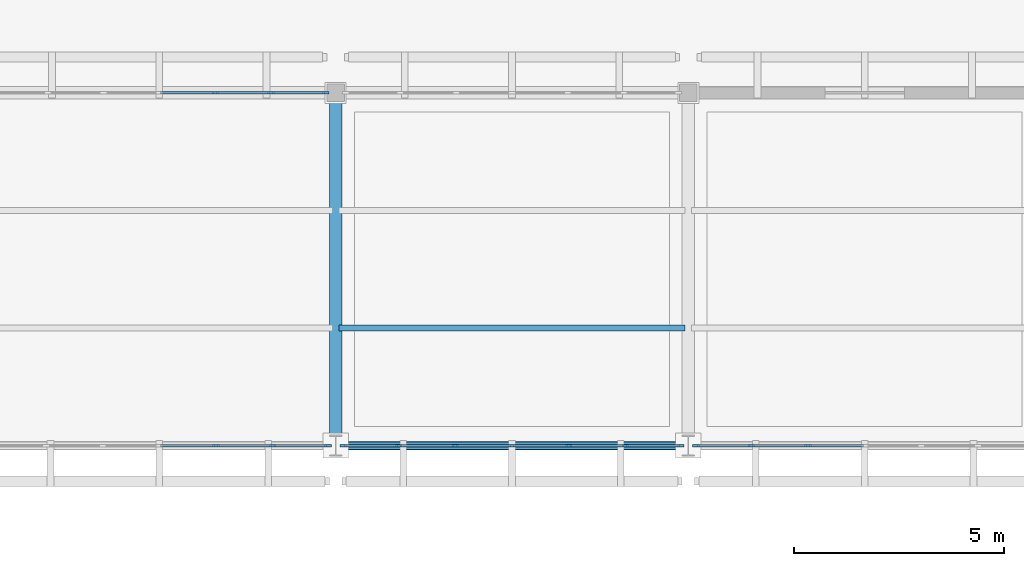
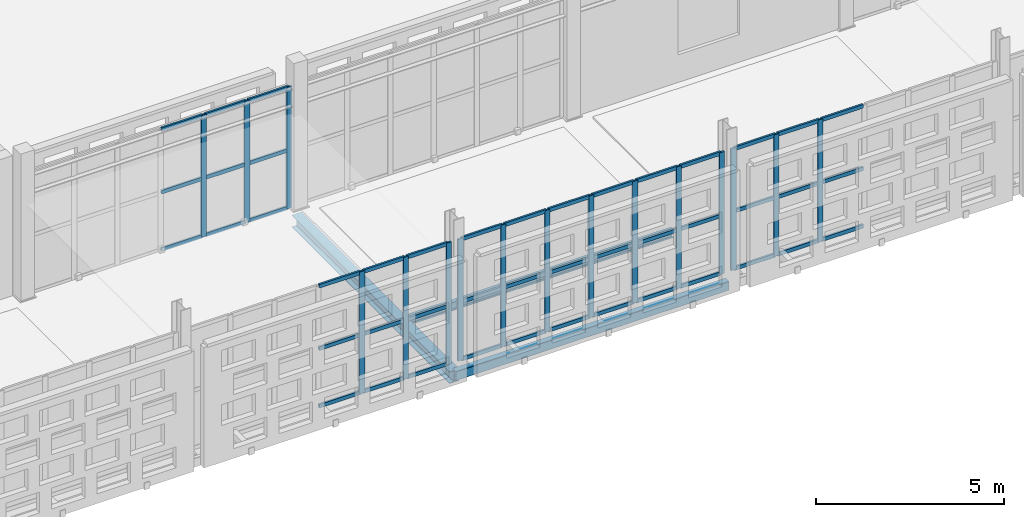
# One storey, part 52 of 203: 61 members, 3 beams, 4 elements without a shape of their own.
"""IFC4 building model written with IfcOpenShell, lengths in metres."""

from ifc_helpers import new_model, si_unit, direction, frame, origin, origin_2d, place, context, subcontext, project, spatial, rectangle, hollow_rectangle, i_section, extrude, material, layer, layer_set, material_profile, profile_set, type_object, element, aggregate, save


model = new_model("IFC4")

# Units and contexts
model_context = context("Model", 3, precision=1e-05, world=origin(), true_north=direction((0.0, 1.0)))
body_context = subcontext(model_context, "Body", "Model", "MODEL_VIEW")
ifc_project = project(units=[si_unit("LENGTHUNIT", "METRE"), si_unit("AREAUNIT", "SQUARE_METRE"), si_unit("VOLUMEUNIT", "CUBIC_METRE"), si_unit("PLANEANGLEUNIT", "RADIAN"), si_unit("MASSUNIT", "GRAM", prefix="KILO")], contexts=[model_context])

# Site, building, storey
site_placement = place(None, origin())
site = spatial("IfcSite", under=ifc_project, at=site_placement, CompositionType="ELEMENT")
building_placement = place(site_placement, origin())
building = spatial("IfcBuilding", under=site, at=building_placement, Name="Varnapada Polytechnic", CompositionType="ELEMENT")
storey_placement = place(building_placement, frame((0.0, 0.0, 4.800048828125)))
storey = spatial("IfcBuildingStorey", under=building, at=storey_placement, Name="L01", CompositionType="ELEMENT", Elevation=4.800048828125)

# Beam
ifc_material_1 = material(Name="Steel S355", Category="steel")
ifc_material_profile_1 = material_profile(ifc_material_1, i_section(OverallWidth=0.135009765625, OverallDepth=0.27001953125, WebThickness=0.006591796875, FlangeThickness=0.01025390625, FilletRadius=0.014892578125, at=origin_2d()), Name="IPE 270")
ifc_profile_set_1 = profile_set([ifc_material_profile_1], Name="Steel S355")
beam_type_1 = type_object("IfcBeamType", Name="Mezzanine heavy steel joist SJ-03 (IPE 270)", PredefinedType="JOIST", material=ifc_profile_set_1)
beam_1_placement = place(storey_placement, frame((67.280029296875, 86.800048828125, -0.39501953125), z_axis=(1.0, 0.0, 0.0), x_axis=(0.0, 1.0, 0.0)))
element("IfcBeam", 1, at=beam_1_placement, inside=storey, type_object=beam_type_1, Name="L01 floor joist 9/11.1", PredefinedType="JOIST", context=body_context, shape_type="SweptSolid", body=[
    extrude(i_section(OverallWidth=0.135009765625, OverallDepth=0.27001953125, WebThickness=0.006591796875, FlangeThickness=0.01025390625, FilletRadius=0.014892578125, at=origin_2d()), origin(), (0.0, 0.0, 1.0), 8.239990234375),
])

# Curtain wall, members
ifc_material_2 = material(Name="Double low-E laminated glass", Category="glass")
ifc_layer_1 = layer(ifc_material_2, 0.159912109375)
ifc_layer_set_1 = layer_set([ifc_layer_1], Name="Double low-E laminated glass")
curtain_wall_type_1 = type_object("IfcCurtainWallType", Name="Curtain Wall CW-01", PredefinedType="NOTDEFINED", material=ifc_layer_set_1)
curtain_wall_1_placement = place(storey_placement, origin())
curtain_wall_1 = element("IfcCurtainWall", 2, at=curtain_wall_1_placement, inside=storey, type_object=curtain_wall_type_1, Name="L01 unitised curtain wall CW-01 (57)", PredefinedType="NOTDEFINED")
ifc_material_3 = material(Name="Anodised aluminium", Category="aluminium")
ifc_material_profile_2 = material_profile(ifc_material_3, rectangle(XDim=0.06005859375, YDim=0.159912109375, at=origin_2d()), Name="ALU M60x160")
ifc_profile_set_2 = profile_set([ifc_material_profile_2], Name="Anodised aluminium")
member_type_1 = type_object("IfcMemberType", Name="Mullion M-01", PredefinedType="MULLION", material=ifc_profile_set_2)
member_1_placement = place(storey_placement, frame((67.02001953125, 84.0, 0.0), z_axis=(0.0, 0.0, 1.0), x_axis=(0.0, -1.0, 0.0)))
member_1 = element("IfcMember", 3, at=member_1_placement, type_object=member_type_1, Name="CW-01 mullion 1", PredefinedType="MULLION", context=body_context, shape_type="SweptSolid", body=[
    extrude(rectangle(XDim=0.06005859375, YDim=0.159912109375, at=origin_2d()), origin(), (0.0, 0.0, 1.0), 3.9599609375),
])
member_2_placement = place(storey_placement, frame((65.699951171875, 84.0, 0.0), z_axis=(0.0, 0.0, 1.0), x_axis=(0.0, -1.0, 0.0)))
member_2 = element("IfcMember", 4, at=member_2_placement, type_object=member_type_1, Name="CW-01 mullion 2", PredefinedType="MULLION", context=body_context, shape_type="SweptSolid", body=[
    extrude(rectangle(XDim=0.06005859375, YDim=0.159912109375, at=origin_2d()), origin(), (0.0, 0.0, 1.0), 3.9599609375),
])
member_3_placement = place(storey_placement, frame((64.35009765625, 84.0, 0.0), z_axis=(0.0, 0.0, 1.0), x_axis=(0.0, -1.0, 0.0)))
member_3 = element("IfcMember", 5, at=member_3_placement, type_object=member_type_1, Name="CW-01 mullion 3", PredefinedType="MULLION", context=body_context, shape_type="SweptSolid", body=[
    extrude(rectangle(XDim=0.06005859375, YDim=0.159912109375, at=origin_2d()), origin(), (0.0, 0.0, 1.0), 3.9599609375),
])

ifc_layer_2 = layer(ifc_material_2, 0.159912109375)
ifc_layer_set_2 = layer_set([ifc_layer_2], Name="Double low-E laminated glass")
curtain_wall_type_2 = type_object("IfcCurtainWallType", Name="Curtain Wall CW-02", PredefinedType="NOTDEFINED", material=ifc_layer_set_2)
curtain_wall_2_placement = place(storey_placement, origin())
curtain_wall_2 = element("IfcCurtainWall", 6, at=curtain_wall_2_placement, inside=storey, type_object=curtain_wall_type_2, Name="L01 unitised curtain wall CW-02 (58)", PredefinedType="NOTDEFINED")
member_4_placement = place(storey_placement, frame((64.330078125, 92.39990234375, 0.0), z_axis=(0.0, 0.0, 1.0), x_axis=(0.0, 1.0, 0.0)))
member_4 = element("IfcMember", 7, at=member_4_placement, type_object=member_type_1, Name="CW-02 mullion 5", PredefinedType="MULLION", context=body_context, shape_type="SweptSolid", body=[
    extrude(rectangle(XDim=0.06005859375, YDim=0.159912109375, at=origin_2d()), origin(), (0.0, 0.0, 1.0), 3.9599609375),
])
member_5_placement = place(storey_placement, frame((65.659912109375, 92.39990234375, 0.0), z_axis=(0.0, 0.0, 1.0), x_axis=(0.0, 1.0, 0.0)))
member_5 = element("IfcMember", 8, at=member_5_placement, type_object=member_type_1, Name="CW-02 mullion 6", PredefinedType="MULLION", context=body_context, shape_type="SweptSolid", body=[
    extrude(rectangle(XDim=0.06005859375, YDim=0.159912109375, at=origin_2d()), origin(), (0.0, 0.0, 1.0), 3.9599609375),
])
member_6_placement = place(storey_placement, frame((66.9599609375, 92.39990234375, 0.0), z_axis=(0.0, 0.0, 1.0), x_axis=(0.0, 1.0, 0.0)))
member_6 = element("IfcMember", 9, at=member_6_placement, type_object=member_type_1, Name="CW-02 mullion 7", PredefinedType="MULLION", context=body_context, shape_type="SweptSolid", body=[
    extrude(rectangle(XDim=0.06005859375, YDim=0.159912109375, at=origin_2d()), origin(), (0.0, 0.0, 1.0), 3.9599609375),
])

curtain_wall_3_placement = place(storey_placement, origin())
curtain_wall_3 = element("IfcCurtainWall", 10, at=curtain_wall_3_placement, inside=storey, type_object=curtain_wall_type_1, Name="L01 unitised curtain wall CW-01 (62)", PredefinedType="NOTDEFINED")
member_7_placement = place(storey_placement, frame((75.419921875, 84.0, 0.0), z_axis=(0.0, 0.0, 1.0), x_axis=(0.0, -1.0, 0.0)))
member_7 = element("IfcMember", 11, at=member_7_placement, type_object=member_type_1, Name="CW-01 mullion 1", PredefinedType="MULLION", context=body_context, shape_type="SweptSolid", body=[
    extrude(rectangle(XDim=0.06005859375, YDim=0.159912109375, at=origin_2d()), origin(), (0.0, 0.0, 1.0), 3.9599609375),
])
member_8_placement = place(storey_placement, frame((74.10009765625, 84.0, 0.0), z_axis=(0.0, 0.0, 1.0), x_axis=(0.0, -1.0, 0.0)))
member_8 = element("IfcMember", 12, at=member_8_placement, type_object=member_type_1, Name="CW-01 mullion 2", PredefinedType="MULLION", context=body_context, shape_type="SweptSolid", body=[
    extrude(rectangle(XDim=0.06005859375, YDim=0.159912109375, at=origin_2d()), origin(), (0.0, 0.0, 1.0), 3.9599609375),
])
member_9_placement = place(storey_placement, frame((72.75, 84.0, 0.0), z_axis=(0.0, 0.0, 1.0), x_axis=(0.0, -1.0, 0.0)))
member_9 = element("IfcMember", 13, at=member_9_placement, type_object=member_type_1, Name="CW-01 mullion 3", PredefinedType="MULLION", context=body_context, shape_type="SweptSolid", body=[
    extrude(rectangle(XDim=0.06005859375, YDim=0.159912109375, at=origin_2d()), origin(), (0.0, 0.0, 1.0), 3.9599609375),
])
member_10_placement = place(storey_placement, frame((71.39990234375, 84.0, 0.0), z_axis=(0.0, 0.0, 1.0), x_axis=(0.0, -1.0, 0.0)))
member_10 = element("IfcMember", 14, at=member_10_placement, type_object=member_type_1, Name="CW-01 mullion 4", PredefinedType="MULLION", context=body_context, shape_type="SweptSolid", body=[
    extrude(rectangle(XDim=0.06005859375, YDim=0.159912109375, at=origin_2d()), origin(), (0.0, 0.0, 1.0), 3.9599609375),
])
member_11_placement = place(storey_placement, frame((70.050048828125, 84.0, 0.0), z_axis=(0.0, 0.0, 1.0), x_axis=(0.0, -1.0, 0.0)))
member_11 = element("IfcMember", 15, at=member_11_placement, type_object=member_type_1, Name="CW-01 mullion 5", PredefinedType="MULLION", context=body_context, shape_type="SweptSolid", body=[
    extrude(rectangle(XDim=0.06005859375, YDim=0.159912109375, at=origin_2d()), origin(), (0.0, 0.0, 1.0), 3.9599609375),
])
member_12_placement = place(storey_placement, frame((68.699951171875, 84.0, 0.0), z_axis=(0.0, 0.0, 1.0), x_axis=(0.0, -1.0, 0.0)))
member_12 = element("IfcMember", 16, at=member_12_placement, type_object=member_type_1, Name="CW-01 mullion 6", PredefinedType="MULLION", context=body_context, shape_type="SweptSolid", body=[
    extrude(rectangle(XDim=0.06005859375, YDim=0.159912109375, at=origin_2d()), origin(), (0.0, 0.0, 1.0), 3.9599609375),
])
member_13_placement = place(storey_placement, frame((67.3798828125, 84.0, 0.0), z_axis=(0.0, 0.0, 1.0), x_axis=(0.0, -1.0, 0.0)))
member_13 = element("IfcMember", 17, at=member_13_placement, type_object=member_type_1, Name="CW-01 mullion 7", PredefinedType="MULLION", context=body_context, shape_type="SweptSolid", body=[
    extrude(rectangle(XDim=0.06005859375, YDim=0.159912109375, at=origin_2d()), origin(), (0.0, 0.0, 1.0), 3.9599609375),
])

curtain_wall_4_placement = place(storey_placement, origin())
curtain_wall_4 = element("IfcCurtainWall", 18, at=curtain_wall_4_placement, inside=storey, type_object=curtain_wall_type_1, Name="L01 unitised curtain wall CW-01 (66)", PredefinedType="NOTDEFINED")
member_14_placement = place(storey_placement, frame((78.449951171875, 84.0, 0.0), z_axis=(0.0, 0.0, 1.0), x_axis=(0.0, -1.0, 0.0)))
member_14 = element("IfcMember", 19, at=member_14_placement, type_object=member_type_1, Name="CW-01 mullion 5", PredefinedType="MULLION", context=body_context, shape_type="SweptSolid", body=[
    extrude(rectangle(XDim=0.06005859375, YDim=0.159912109375, at=origin_2d()), origin(), (0.0, 0.0, 1.0), 3.9599609375),
])
member_15_placement = place(storey_placement, frame((77.10009765625, 84.0, 0.0), z_axis=(0.0, 0.0, 1.0), x_axis=(0.0, -1.0, 0.0)))
member_15 = element("IfcMember", 20, at=member_15_placement, type_object=member_type_1, Name="CW-01 mullion 6", PredefinedType="MULLION", context=body_context, shape_type="SweptSolid", body=[
    extrude(rectangle(XDim=0.06005859375, YDim=0.159912109375, at=origin_2d()), origin(), (0.0, 0.0, 1.0), 3.9599609375),
])
member_16_placement = place(storey_placement, frame((75.780029296875, 84.0, 0.0), z_axis=(0.0, 0.0, 1.0), x_axis=(0.0, -1.0, 0.0)))
member_16 = element("IfcMember", 21, at=member_16_placement, type_object=member_type_1, Name="CW-01 mullion 7", PredefinedType="MULLION", context=body_context, shape_type="SweptSolid", body=[
    extrude(rectangle(XDim=0.06005859375, YDim=0.159912109375, at=origin_2d()), origin(), (0.0, 0.0, 1.0), 3.9599609375),
])

# Beam
ifc_material_profile_3 = material_profile(ifc_material_1, i_section(OverallWidth=0.300048828125, OverallDepth=0.389892578125, WebThickness=0.010986328125, FlangeThickness=0.01904296875, FilletRadius=0.027099609375, at=origin_2d()), Name="HEA 400")
ifc_profile_set_3 = profile_set([ifc_material_profile_3], Name="Steel S355")
beam_type_2 = type_object("IfcBeamType", Name="Steel roof primary girder SG-01 (HEA 400)", PredefinedType="BEAM", material=ifc_profile_set_3)
beam_2_placement = place(storey_placement, frame((67.199951171875, 84.0, -0.465087890625), z_axis=(0.0, 1.0, 0.0), x_axis=(-1.0, 0.0, 0.0)))
element("IfcBeam", 22, at=beam_2_placement, inside=storey, type_object=beam_type_2, Name="L01 beam Y 11-12 at X9", PredefinedType="BEAM", context=body_context, shape_type="SweptSolid", body=[
    extrude(i_section(OverallWidth=0.300048828125, OverallDepth=0.389892578125, WebThickness=0.010986328125, FlangeThickness=0.01904296875, FilletRadius=0.027099609375, at=origin_2d()), origin(), (0.0, 0.0, 1.0), 8.39990234375),
])

# Member
ifc_material_profile_4 = material_profile(ifc_material_3, rectangle(XDim=0.06005859375, YDim=0.1201171875, at=origin_2d()), Name="ALU T60x120")
ifc_profile_set_4 = profile_set([ifc_material_profile_4], Name="Anodised aluminium")
member_type_2 = type_object("IfcMemberType", Name="Transom T-01", PredefinedType="USERDEFINED", material=ifc_profile_set_4)
member_17_placement = place(storey_placement, frame((66.989990234375, 84.0, 0.030029296875), z_axis=(-1.0, 0.0, 0.0), x_axis=(0.0, -1.0, 0.0)))
member_17 = element("IfcMember", 23, at=member_17_placement, type_object=member_type_2, Name="CW-01 transom 1.1", ObjectType="TRANSOM", PredefinedType="USERDEFINED", context=body_context, shape_type="SweptSolid", body=[
    extrude(rectangle(XDim=0.06005859375, YDim=0.1201171875, at=origin_2d()), origin(), (0.0, 0.0, 1.0), 1.260009765625),
])

member_18_placement = place(storey_placement, frame((66.989990234375, 84.0, 1.900634765625), z_axis=(-1.0, 0.0, 0.0), x_axis=(0.0, -1.0, 0.0)))
member_18 = element("IfcMember", 24, at=member_18_placement, type_object=member_type_2, Name="CW-01 transom 1.2", ObjectType="TRANSOM", PredefinedType="USERDEFINED", context=body_context, shape_type="SweptSolid", body=[
    extrude(rectangle(XDim=0.06005859375, YDim=0.1201171875, at=origin_2d()), origin(), (0.0, 0.0, 1.0), 1.260009765625),
])

member_19_placement = place(storey_placement, frame((66.989990234375, 84.0, 3.929931640625), z_axis=(-1.0, 0.0, 0.0), x_axis=(0.0, -1.0, 0.0)))
member_19 = element("IfcMember", 25, at=member_19_placement, type_object=member_type_2, Name="CW-01 transom 1.3", ObjectType="TRANSOM", PredefinedType="USERDEFINED", context=body_context, shape_type="SweptSolid", body=[
    extrude(rectangle(XDim=0.06005859375, YDim=0.1201171875, at=origin_2d()), origin(), (0.0, 0.0, 1.0), 1.260009765625),
])

member_20_placement = place(storey_placement, frame((65.669921875, 84.0, 0.030029296875), z_axis=(-1.0, 0.0, 0.0), x_axis=(0.0, -1.0, 0.0)))
member_20 = element("IfcMember", 26, at=member_20_placement, type_object=member_type_2, Name="CW-01 transom 2.1", ObjectType="TRANSOM", PredefinedType="USERDEFINED", context=body_context, shape_type="SweptSolid", body=[
    extrude(rectangle(XDim=0.06005859375, YDim=0.1201171875, at=origin_2d()), origin(), (0.0, 0.0, 1.0), 1.2900390625),
])

member_21_placement = place(storey_placement, frame((65.669921875, 84.0, 1.900634765625), z_axis=(-1.0, 0.0, 0.0), x_axis=(0.0, -1.0, 0.0)))
member_21 = element("IfcMember", 27, at=member_21_placement, type_object=member_type_2, Name="CW-01 transom 2.2", ObjectType="TRANSOM", PredefinedType="USERDEFINED", context=body_context, shape_type="SweptSolid", body=[
    extrude(rectangle(XDim=0.06005859375, YDim=0.1201171875, at=origin_2d()), origin(), (0.0, 0.0, 1.0), 1.2900390625),
])

member_22_placement = place(storey_placement, frame((65.669921875, 84.0, 3.929931640625), z_axis=(-1.0, 0.0, 0.0), x_axis=(0.0, -1.0, 0.0)))
member_22 = element("IfcMember", 28, at=member_22_placement, type_object=member_type_2, Name="CW-01 transom 2.3", ObjectType="TRANSOM", PredefinedType="USERDEFINED", context=body_context, shape_type="SweptSolid", body=[
    extrude(rectangle(XDim=0.06005859375, YDim=0.1201171875, at=origin_2d()), origin(), (0.0, 0.0, 1.0), 1.2900390625),
])

member_23_placement = place(storey_placement, frame((64.320068359375, 84.0, 0.030029296875), z_axis=(-1.0, 0.0, 0.0), x_axis=(0.0, -1.0, 0.0)))
member_23 = element("IfcMember", 29, at=member_23_placement, type_object=member_type_2, Name="CW-01 transom 3.1", ObjectType="TRANSOM", PredefinedType="USERDEFINED", context=body_context, shape_type="SweptSolid", body=[
    extrude(rectangle(XDim=0.06005859375, YDim=0.1201171875, at=origin_2d()), origin(), (0.0, 0.0, 1.0), 1.2900390625),
])

member_24_placement = place(storey_placement, frame((64.320068359375, 84.0, 1.900634765625), z_axis=(-1.0, 0.0, 0.0), x_axis=(0.0, -1.0, 0.0)))
member_24 = element("IfcMember", 30, at=member_24_placement, type_object=member_type_2, Name="CW-01 transom 3.2", ObjectType="TRANSOM", PredefinedType="USERDEFINED", context=body_context, shape_type="SweptSolid", body=[
    extrude(rectangle(XDim=0.06005859375, YDim=0.1201171875, at=origin_2d()), origin(), (0.0, 0.0, 1.0), 1.2900390625),
])

member_25_placement = place(storey_placement, frame((64.320068359375, 84.0, 3.929931640625), z_axis=(-1.0, 0.0, 0.0), x_axis=(0.0, -1.0, 0.0)))
member_25 = element("IfcMember", 31, at=member_25_placement, type_object=member_type_2, Name="CW-01 transom 3.3", ObjectType="TRANSOM", PredefinedType="USERDEFINED", context=body_context, shape_type="SweptSolid", body=[
    extrude(rectangle(XDim=0.06005859375, YDim=0.1201171875, at=origin_2d()), origin(), (0.0, 0.0, 1.0), 1.2900390625),
])

aggregate(curtain_wall_1, [member_1, member_2, member_3, member_17, member_18, member_19, member_20, member_21, member_22, member_23, member_24, member_25])

member_26_placement = place(storey_placement, frame((63.030029296875, 92.39990234375, 0.030029296875), z_axis=(1.0, 0.0, 0.0), x_axis=(0.0, 1.0, 0.0)))
member_26 = element("IfcMember", 32, at=member_26_placement, type_object=member_type_2, Name="CW-02 transom 4.1", ObjectType="TRANSOM", PredefinedType="USERDEFINED", context=body_context, shape_type="SweptSolid", body=[
    extrude(rectangle(XDim=0.06005859375, YDim=0.1201171875, at=origin_2d()), origin(), (0.0, 0.0, 1.0), 1.27001953125),
])

member_27_placement = place(storey_placement, frame((63.030029296875, 92.39990234375, 1.900634765625), z_axis=(1.0, 0.0, 0.0), x_axis=(0.0, 1.0, 0.0)))
member_27 = element("IfcMember", 33, at=member_27_placement, type_object=member_type_2, Name="CW-02 transom 4.2", ObjectType="TRANSOM", PredefinedType="USERDEFINED", context=body_context, shape_type="SweptSolid", body=[
    extrude(rectangle(XDim=0.06005859375, YDim=0.1201171875, at=origin_2d()), origin(), (0.0, 0.0, 1.0), 1.27001953125),
])

member_28_placement = place(storey_placement, frame((63.030029296875, 92.39990234375, 3.929931640625), z_axis=(1.0, 0.0, 0.0), x_axis=(0.0, 1.0, 0.0)))
member_28 = element("IfcMember", 34, at=member_28_placement, type_object=member_type_2, Name="CW-02 transom 4.3", ObjectType="TRANSOM", PredefinedType="USERDEFINED", context=body_context, shape_type="SweptSolid", body=[
    extrude(rectangle(XDim=0.06005859375, YDim=0.1201171875, at=origin_2d()), origin(), (0.0, 0.0, 1.0), 1.27001953125),
])

member_29_placement = place(storey_placement, frame((64.360107421875, 92.39990234375, 0.030029296875), z_axis=(1.0, 0.0, 0.0), x_axis=(0.0, 1.0, 0.0)))
member_29 = element("IfcMember", 35, at=member_29_placement, type_object=member_type_2, Name="CW-02 transom 5.1", ObjectType="TRANSOM", PredefinedType="USERDEFINED", context=body_context, shape_type="SweptSolid", body=[
    extrude(rectangle(XDim=0.06005859375, YDim=0.1201171875, at=origin_2d()), origin(), (0.0, 0.0, 1.0), 1.269775390625),
])

member_30_placement = place(storey_placement, frame((64.360107421875, 92.39990234375, 1.900634765625), z_axis=(1.0, 0.0, 0.0), x_axis=(0.0, 1.0, 0.0)))
member_30 = element("IfcMember", 36, at=member_30_placement, type_object=member_type_2, Name="CW-02 transom 5.2", ObjectType="TRANSOM", PredefinedType="USERDEFINED", context=body_context, shape_type="SweptSolid", body=[
    extrude(rectangle(XDim=0.06005859375, YDim=0.1201171875, at=origin_2d()), origin(), (0.0, 0.0, 1.0), 1.269775390625),
])

member_31_placement = place(storey_placement, frame((64.360107421875, 92.39990234375, 3.929931640625), z_axis=(1.0, 0.0, 0.0), x_axis=(0.0, 1.0, 0.0)))
member_31 = element("IfcMember", 37, at=member_31_placement, type_object=member_type_2, Name="CW-02 transom 5.3", ObjectType="TRANSOM", PredefinedType="USERDEFINED", context=body_context, shape_type="SweptSolid", body=[
    extrude(rectangle(XDim=0.06005859375, YDim=0.1201171875, at=origin_2d()), origin(), (0.0, 0.0, 1.0), 1.269775390625),
])

member_32_placement = place(storey_placement, frame((65.68994140625, 92.39990234375, 0.030029296875), z_axis=(1.0, 0.0, 0.0), x_axis=(0.0, 1.0, 0.0)))
member_32 = element("IfcMember", 38, at=member_32_placement, type_object=member_type_2, Name="CW-02 transom 6.1", ObjectType="TRANSOM", PredefinedType="USERDEFINED", context=body_context, shape_type="SweptSolid", body=[
    extrude(rectangle(XDim=0.06005859375, YDim=0.1201171875, at=origin_2d()), origin(), (0.0, 0.0, 1.0), 1.239990234375),
])

member_33_placement = place(storey_placement, frame((65.68994140625, 92.39990234375, 1.900634765625), z_axis=(1.0, 0.0, 0.0), x_axis=(0.0, 1.0, 0.0)))
member_33 = element("IfcMember", 39, at=member_33_placement, type_object=member_type_2, Name="CW-02 transom 6.2", ObjectType="TRANSOM", PredefinedType="USERDEFINED", context=body_context, shape_type="SweptSolid", body=[
    extrude(rectangle(XDim=0.06005859375, YDim=0.1201171875, at=origin_2d()), origin(), (0.0, 0.0, 1.0), 1.239990234375),
])

member_34_placement = place(storey_placement, frame((65.68994140625, 92.39990234375, 3.929931640625), z_axis=(1.0, 0.0, 0.0), x_axis=(0.0, 1.0, 0.0)))
member_34 = element("IfcMember", 40, at=member_34_placement, type_object=member_type_2, Name="CW-02 transom 6.3", ObjectType="TRANSOM", PredefinedType="USERDEFINED", context=body_context, shape_type="SweptSolid", body=[
    extrude(rectangle(XDim=0.06005859375, YDim=0.1201171875, at=origin_2d()), origin(), (0.0, 0.0, 1.0), 1.239990234375),
])

aggregate(curtain_wall_2, [member_4, member_5, member_6, member_26, member_27, member_28, member_29, member_30, member_31, member_32, member_33, member_34])

member_35_placement = place(storey_placement, frame((75.389892578125, 84.0, 0.030029296875), z_axis=(-1.0, 0.0, 0.0), x_axis=(0.0, -1.0, 0.0)))
member_35 = element("IfcMember", 41, at=member_35_placement, type_object=member_type_2, Name="CW-01 transom 1.1", ObjectType="TRANSOM", PredefinedType="USERDEFINED", context=body_context, shape_type="SweptSolid", body=[
    extrude(rectangle(XDim=0.06005859375, YDim=0.1201171875, at=origin_2d()), origin(), (0.0, 0.0, 1.0), 1.260009765625),
])

member_36_placement = place(storey_placement, frame((75.389892578125, 84.0, 1.900634765625), z_axis=(-1.0, 0.0, 0.0), x_axis=(0.0, -1.0, 0.0)))
member_36 = element("IfcMember", 42, at=member_36_placement, type_object=member_type_2, Name="CW-01 transom 1.2", ObjectType="TRANSOM", PredefinedType="USERDEFINED", context=body_context, shape_type="SweptSolid", body=[
    extrude(rectangle(XDim=0.06005859375, YDim=0.1201171875, at=origin_2d()), origin(), (0.0, 0.0, 1.0), 1.260009765625),
])

member_37_placement = place(storey_placement, frame((75.389892578125, 84.0, 3.929931640625), z_axis=(-1.0, 0.0, 0.0), x_axis=(0.0, -1.0, 0.0)))
member_37 = element("IfcMember", 43, at=member_37_placement, type_object=member_type_2, Name="CW-01 transom 1.3", ObjectType="TRANSOM", PredefinedType="USERDEFINED", context=body_context, shape_type="SweptSolid", body=[
    extrude(rectangle(XDim=0.06005859375, YDim=0.1201171875, at=origin_2d()), origin(), (0.0, 0.0, 1.0), 1.260009765625),
])

member_38_placement = place(storey_placement, frame((74.070068359375, 84.0, 0.030029296875), z_axis=(-1.0, 0.0, 0.0), x_axis=(0.0, -1.0, 0.0)))
member_38 = element("IfcMember", 44, at=member_38_placement, type_object=member_type_2, Name="CW-01 transom 2.1", ObjectType="TRANSOM", PredefinedType="USERDEFINED", context=body_context, shape_type="SweptSolid", body=[
    extrude(rectangle(XDim=0.06005859375, YDim=0.1201171875, at=origin_2d()), origin(), (0.0, 0.0, 1.0), 1.2900390625),
])

member_39_placement = place(storey_placement, frame((74.070068359375, 84.0, 1.900634765625), z_axis=(-1.0, 0.0, 0.0), x_axis=(0.0, -1.0, 0.0)))
member_39 = element("IfcMember", 45, at=member_39_placement, type_object=member_type_2, Name="CW-01 transom 2.2", ObjectType="TRANSOM", PredefinedType="USERDEFINED", context=body_context, shape_type="SweptSolid", body=[
    extrude(rectangle(XDim=0.06005859375, YDim=0.1201171875, at=origin_2d()), origin(), (0.0, 0.0, 1.0), 1.2900390625),
])

member_40_placement = place(storey_placement, frame((74.070068359375, 84.0, 3.929931640625), z_axis=(-1.0, 0.0, 0.0), x_axis=(0.0, -1.0, 0.0)))
member_40 = element("IfcMember", 46, at=member_40_placement, type_object=member_type_2, Name="CW-01 transom 2.3", ObjectType="TRANSOM", PredefinedType="USERDEFINED", context=body_context, shape_type="SweptSolid", body=[
    extrude(rectangle(XDim=0.06005859375, YDim=0.1201171875, at=origin_2d()), origin(), (0.0, 0.0, 1.0), 1.2900390625),
])

member_41_placement = place(storey_placement, frame((72.719970703125, 84.0, 0.030029296875), z_axis=(-1.0, 0.0, 0.0), x_axis=(0.0, -1.0, 0.0)))
member_41 = element("IfcMember", 47, at=member_41_placement, type_object=member_type_2, Name="CW-01 transom 3.1", ObjectType="TRANSOM", PredefinedType="USERDEFINED", context=body_context, shape_type="SweptSolid", body=[
    extrude(rectangle(XDim=0.06005859375, YDim=0.1201171875, at=origin_2d()), origin(), (0.0, 0.0, 1.0), 1.2900390625),
])

member_42_placement = place(storey_placement, frame((72.719970703125, 84.0, 1.900634765625), z_axis=(-1.0, 0.0, 0.0), x_axis=(0.0, -1.0, 0.0)))
member_42 = element("IfcMember", 48, at=member_42_placement, type_object=member_type_2, Name="CW-01 transom 3.2", ObjectType="TRANSOM", PredefinedType="USERDEFINED", context=body_context, shape_type="SweptSolid", body=[
    extrude(rectangle(XDim=0.06005859375, YDim=0.1201171875, at=origin_2d()), origin(), (0.0, 0.0, 1.0), 1.2900390625),
])

member_43_placement = place(storey_placement, frame((72.719970703125, 84.0, 3.929931640625), z_axis=(-1.0, 0.0, 0.0), x_axis=(0.0, -1.0, 0.0)))
member_43 = element("IfcMember", 49, at=member_43_placement, type_object=member_type_2, Name="CW-01 transom 3.3", ObjectType="TRANSOM", PredefinedType="USERDEFINED", context=body_context, shape_type="SweptSolid", body=[
    extrude(rectangle(XDim=0.06005859375, YDim=0.1201171875, at=origin_2d()), origin(), (0.0, 0.0, 1.0), 1.2900390625),
])

member_44_placement = place(storey_placement, frame((71.3701171875, 84.0, 0.030029296875), z_axis=(-1.0, 0.0, 0.0), x_axis=(0.0, -1.0, 0.0)))
member_44 = element("IfcMember", 50, at=member_44_placement, type_object=member_type_2, Name="CW-01 transom 4.1", ObjectType="TRANSOM", PredefinedType="USERDEFINED", context=body_context, shape_type="SweptSolid", body=[
    extrude(rectangle(XDim=0.06005859375, YDim=0.1201171875, at=origin_2d()), origin(), (0.0, 0.0, 1.0), 1.2900390625),
])

member_45_placement = place(storey_placement, frame((71.3701171875, 84.0, 1.900634765625), z_axis=(-1.0, 0.0, 0.0), x_axis=(0.0, -1.0, 0.0)))
member_45 = element("IfcMember", 51, at=member_45_placement, type_object=member_type_2, Name="CW-01 transom 4.2", ObjectType="TRANSOM", PredefinedType="USERDEFINED", context=body_context, shape_type="SweptSolid", body=[
    extrude(rectangle(XDim=0.06005859375, YDim=0.1201171875, at=origin_2d()), origin(), (0.0, 0.0, 1.0), 1.2900390625),
])

member_46_placement = place(storey_placement, frame((71.3701171875, 84.0, 3.929931640625), z_axis=(-1.0, 0.0, 0.0), x_axis=(0.0, -1.0, 0.0)))
member_46 = element("IfcMember", 52, at=member_46_placement, type_object=member_type_2, Name="CW-01 transom 4.3", ObjectType="TRANSOM", PredefinedType="USERDEFINED", context=body_context, shape_type="SweptSolid", body=[
    extrude(rectangle(XDim=0.06005859375, YDim=0.1201171875, at=origin_2d()), origin(), (0.0, 0.0, 1.0), 1.2900390625),
])

member_47_placement = place(storey_placement, frame((70.02001953125, 84.0, 0.030029296875), z_axis=(-1.0, 0.0, 0.0), x_axis=(0.0, -1.0, 0.0)))
member_47 = element("IfcMember", 53, at=member_47_placement, type_object=member_type_2, Name="CW-01 transom 5.1", ObjectType="TRANSOM", PredefinedType="USERDEFINED", context=body_context, shape_type="SweptSolid", body=[
    extrude(rectangle(XDim=0.06005859375, YDim=0.1201171875, at=origin_2d()), origin(), (0.0, 0.0, 1.0), 1.2900390625),
])

member_48_placement = place(storey_placement, frame((70.02001953125, 84.0, 1.900634765625), z_axis=(-1.0, 0.0, 0.0), x_axis=(0.0, -1.0, 0.0)))
member_48 = element("IfcMember", 54, at=member_48_placement, type_object=member_type_2, Name="CW-01 transom 5.2", ObjectType="TRANSOM", PredefinedType="USERDEFINED", context=body_context, shape_type="SweptSolid", body=[
    extrude(rectangle(XDim=0.06005859375, YDim=0.1201171875, at=origin_2d()), origin(), (0.0, 0.0, 1.0), 1.2900390625),
])

member_49_placement = place(storey_placement, frame((70.02001953125, 84.0, 3.929931640625), z_axis=(-1.0, 0.0, 0.0), x_axis=(0.0, -1.0, 0.0)))
member_49 = element("IfcMember", 55, at=member_49_placement, type_object=member_type_2, Name="CW-01 transom 5.3", ObjectType="TRANSOM", PredefinedType="USERDEFINED", context=body_context, shape_type="SweptSolid", body=[
    extrude(rectangle(XDim=0.06005859375, YDim=0.1201171875, at=origin_2d()), origin(), (0.0, 0.0, 1.0), 1.2900390625),
])

member_50_placement = place(storey_placement, frame((68.669921875, 84.0, 0.030029296875), z_axis=(-1.0, 0.0, 0.0), x_axis=(0.0, -1.0, 0.0)))
member_50 = element("IfcMember", 56, at=member_50_placement, type_object=member_type_2, Name="CW-01 transom 6.1", ObjectType="TRANSOM", PredefinedType="USERDEFINED", context=body_context, shape_type="SweptSolid", body=[
    extrude(rectangle(XDim=0.06005859375, YDim=0.1201171875, at=origin_2d()), origin(), (0.0, 0.0, 1.0), 1.260009765625),
])

member_51_placement = place(storey_placement, frame((68.669921875, 84.0, 1.900634765625), z_axis=(-1.0, 0.0, 0.0), x_axis=(0.0, -1.0, 0.0)))
member_51 = element("IfcMember", 57, at=member_51_placement, type_object=member_type_2, Name="CW-01 transom 6.2", ObjectType="TRANSOM", PredefinedType="USERDEFINED", context=body_context, shape_type="SweptSolid", body=[
    extrude(rectangle(XDim=0.06005859375, YDim=0.1201171875, at=origin_2d()), origin(), (0.0, 0.0, 1.0), 1.260009765625),
])

member_52_placement = place(storey_placement, frame((68.669921875, 84.0, 3.929931640625), z_axis=(-1.0, 0.0, 0.0), x_axis=(0.0, -1.0, 0.0)))
member_52 = element("IfcMember", 58, at=member_52_placement, type_object=member_type_2, Name="CW-01 transom 6.3", ObjectType="TRANSOM", PredefinedType="USERDEFINED", context=body_context, shape_type="SweptSolid", body=[
    extrude(rectangle(XDim=0.06005859375, YDim=0.1201171875, at=origin_2d()), origin(), (0.0, 0.0, 1.0), 1.260009765625),
])

aggregate(curtain_wall_3, [member_7, member_8, member_9, member_10, member_11, member_12, member_13, member_35, member_36, member_37, member_38, member_39, member_40, member_41, member_42, member_43, member_44, member_45, member_46, member_47, member_48, member_49, member_50, member_51, member_52])

member_53_placement = place(storey_placement, frame((79.77001953125, 84.0, 0.030029296875), z_axis=(-1.0, 0.0, 0.0), x_axis=(0.0, -1.0, 0.0)))
member_53 = element("IfcMember", 59, at=member_53_placement, type_object=member_type_2, Name="CW-01 transom 4.1", ObjectType="TRANSOM", PredefinedType="USERDEFINED", context=body_context, shape_type="SweptSolid", body=[
    extrude(rectangle(XDim=0.06005859375, YDim=0.1201171875, at=origin_2d()), origin(), (0.0, 0.0, 1.0), 1.2900390625),
])

member_54_placement = place(storey_placement, frame((79.77001953125, 84.0, 1.900634765625), z_axis=(-1.0, 0.0, 0.0), x_axis=(0.0, -1.0, 0.0)))
member_54 = element("IfcMember", 60, at=member_54_placement, type_object=member_type_2, Name="CW-01 transom 4.2", ObjectType="TRANSOM", PredefinedType="USERDEFINED", context=body_context, shape_type="SweptSolid", body=[
    extrude(rectangle(XDim=0.06005859375, YDim=0.1201171875, at=origin_2d()), origin(), (0.0, 0.0, 1.0), 1.2900390625),
])

member_55_placement = place(storey_placement, frame((79.77001953125, 84.0, 3.929931640625), z_axis=(-1.0, 0.0, 0.0), x_axis=(0.0, -1.0, 0.0)))
member_55 = element("IfcMember", 61, at=member_55_placement, type_object=member_type_2, Name="CW-01 transom 4.3", ObjectType="TRANSOM", PredefinedType="USERDEFINED", context=body_context, shape_type="SweptSolid", body=[
    extrude(rectangle(XDim=0.06005859375, YDim=0.1201171875, at=origin_2d()), origin(), (0.0, 0.0, 1.0), 1.2900390625),
])

member_56_placement = place(storey_placement, frame((78.419921875, 84.0, 0.030029296875), z_axis=(-1.0, 0.0, 0.0), x_axis=(0.0, -1.0, 0.0)))
member_56 = element("IfcMember", 62, at=member_56_placement, type_object=member_type_2, Name="CW-01 transom 5.1", ObjectType="TRANSOM", PredefinedType="USERDEFINED", context=body_context, shape_type="SweptSolid", body=[
    extrude(rectangle(XDim=0.06005859375, YDim=0.1201171875, at=origin_2d()), origin(), (0.0, 0.0, 1.0), 1.2900390625),
])

member_57_placement = place(storey_placement, frame((78.419921875, 84.0, 1.900634765625), z_axis=(-1.0, 0.0, 0.0), x_axis=(0.0, -1.0, 0.0)))
member_57 = element("IfcMember", 63, at=member_57_placement, type_object=member_type_2, Name="CW-01 transom 5.2", ObjectType="TRANSOM", PredefinedType="USERDEFINED", context=body_context, shape_type="SweptSolid", body=[
    extrude(rectangle(XDim=0.06005859375, YDim=0.1201171875, at=origin_2d()), origin(), (0.0, 0.0, 1.0), 1.2900390625),
])

member_58_placement = place(storey_placement, frame((78.419921875, 84.0, 3.929931640625), z_axis=(-1.0, 0.0, 0.0), x_axis=(0.0, -1.0, 0.0)))
member_58 = element("IfcMember", 64, at=member_58_placement, type_object=member_type_2, Name="CW-01 transom 5.3", ObjectType="TRANSOM", PredefinedType="USERDEFINED", context=body_context, shape_type="SweptSolid", body=[
    extrude(rectangle(XDim=0.06005859375, YDim=0.1201171875, at=origin_2d()), origin(), (0.0, 0.0, 1.0), 1.2900390625),
])

member_59_placement = place(storey_placement, frame((77.070068359375, 84.0, 0.030029296875), z_axis=(-1.0, 0.0, 0.0), x_axis=(0.0, -1.0, 0.0)))
member_59 = element("IfcMember", 65, at=member_59_placement, type_object=member_type_2, Name="CW-01 transom 6.1", ObjectType="TRANSOM", PredefinedType="USERDEFINED", context=body_context, shape_type="SweptSolid", body=[
    extrude(rectangle(XDim=0.06005859375, YDim=0.1201171875, at=origin_2d()), origin(), (0.0, 0.0, 1.0), 1.260009765625),
])

member_60_placement = place(storey_placement, frame((77.070068359375, 84.0, 1.900634765625), z_axis=(-1.0, 0.0, 0.0), x_axis=(0.0, -1.0, 0.0)))
member_60 = element("IfcMember", 66, at=member_60_placement, type_object=member_type_2, Name="CW-01 transom 6.2", ObjectType="TRANSOM", PredefinedType="USERDEFINED", context=body_context, shape_type="SweptSolid", body=[
    extrude(rectangle(XDim=0.06005859375, YDim=0.1201171875, at=origin_2d()), origin(), (0.0, 0.0, 1.0), 1.260009765625),
])

member_61_placement = place(storey_placement, frame((77.070068359375, 84.0, 3.929931640625), z_axis=(-1.0, 0.0, 0.0), x_axis=(0.0, -1.0, 0.0)))
member_61 = element("IfcMember", 67, at=member_61_placement, type_object=member_type_2, Name="CW-01 transom 6.3", ObjectType="TRANSOM", PredefinedType="USERDEFINED", context=body_context, shape_type="SweptSolid", body=[
    extrude(rectangle(XDim=0.06005859375, YDim=0.1201171875, at=origin_2d()), origin(), (0.0, 0.0, 1.0), 1.260009765625),
])

aggregate(curtain_wall_4, [member_14, member_15, member_16, member_53, member_54, member_55, member_56, member_57, member_58, member_59, member_60, member_61])

# Beam
ifc_material_profile_5 = material_profile(ifc_material_1, hollow_rectangle(XDim=0.199951171875, YDim=0.300048828125, WallThickness=0.010009765625, InnerFilletRadius=0.010009765625, OuterFilletRadius=0.02001953125, at=origin_2d()), Name="RHS 300x200x10")
ifc_profile_set_5 = profile_set([ifc_material_profile_5], Name="Steel S355")
beam_type_3 = type_object("IfcBeamType", Name="Workshop steel spandrel tie SP-03 (RHS 300x200x10)", PredefinedType="SPANDREL", material=ifc_profile_set_5)
beam_3_placement = place(storey_placement, frame((67.199951171875, 84.0, -0.41015625), z_axis=(1.0, 0.0, 0.0), x_axis=(0.0, 1.0, 0.0)))
element("IfcBeam", 68, at=beam_3_placement, inside=storey, type_object=beam_type_3, Name="L01 beam X 9-10 at Y11", PredefinedType="SPANDREL", context=body_context, shape_type="SweptSolid", body=[
    extrude(hollow_rectangle(XDim=0.199951171875, YDim=0.300048828125, WallThickness=0.010009765625, InnerFilletRadius=0.010009765625, OuterFilletRadius=0.02001953125, at=origin_2d()), origin(), (0.0, 0.0, 1.0), 8.400146484375),
])

save(model, "model.ifc")
